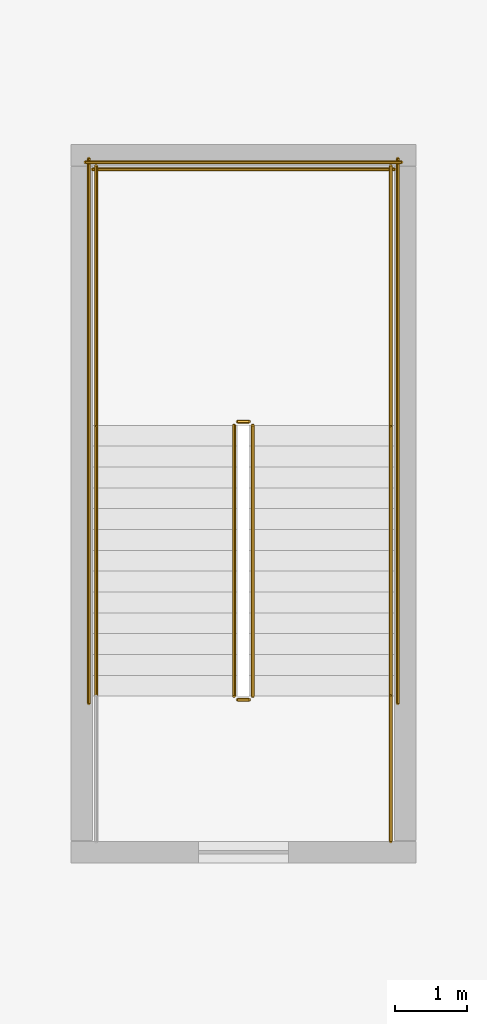
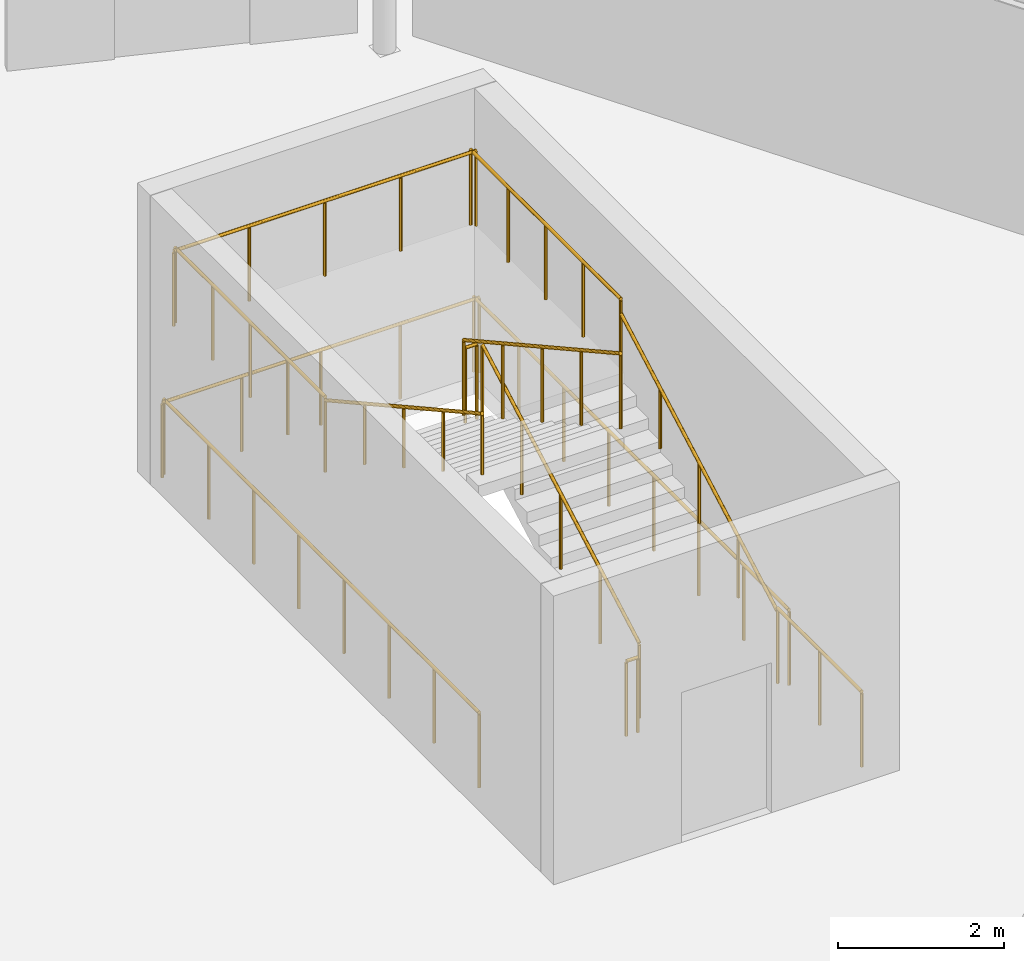
# One storey, part 69 of 69: 13 railings.
"""IFC4 building model written with IfcOpenShell, lengths in metres."""

from ifc_helpers import new_model, si_unit, direction, frame, origin, origin_2d, place, context, subcontext, project, spatial, circle, extrude, material, layer, layer_set, type_object, element, save


model = new_model("IFC4")

# Units and contexts
model_context = context("Model", 3, precision=1e-05, world=origin(), true_north=direction((0.0, 1.0)))
body_context = subcontext(model_context, "Body", "Model", "MODEL_VIEW")
ifc_project = project(units=[si_unit("LENGTHUNIT", "METRE"), si_unit("AREAUNIT", "SQUARE_METRE"), si_unit("VOLUMEUNIT", "CUBIC_METRE"), si_unit("PLANEANGLEUNIT", "RADIAN"), si_unit("MASSUNIT", "GRAM", prefix="KILO")], contexts=[model_context])

# Site, building, storey
site_placement = place(None, origin())
site = spatial("IfcSite", under=ifc_project, at=site_placement, CompositionType="ELEMENT")
building_placement = place(site_placement, origin())
building = spatial("IfcBuilding", under=site, at=building_placement, Name="Sarnbrook Museum", CompositionType="ELEMENT")
storey_placement = place(building_placement, frame((0.0, 0.0, 14.60009765625)))
storey = spatial("IfcBuildingStorey", under=building, at=storey_placement, Name="L03", CompositionType="ELEMENT", Elevation=14.60009765625)

# Railings
ifc_material = material(Name="Brushed Stainless Steel Grade 316", Category="steel")
ifc_layer_1 = layer(ifc_material, 0.050048828125)
ifc_layer_set_1 = layer_set([ifc_layer_1], Name="Brushed Stainless Steel Grade 316")
railing_type_1 = type_object("IfcRailingType", Name="Guard_Int1120", PredefinedType="BALUSTRADE", material=ifc_layer_set_1)
railing_1_placement = place(storey_placement, frame((143.929931640625, 82.52001953125, 0.16064453125)))
element("IfcRailing", 1, at=railing_1_placement, inside=storey, type_object=railing_type_1, Name="L03 ST7 stair guard 1", PredefinedType="BALUSTRADE", context=body_context, shape_type="SweptSolid", body=[
    extrude(circle(Radius=0.02392578125, at=origin_2d()), frame((0.0, 0.0, 1.09619140625), z_axis=(0.0, 0.874659101714, 0.484738543742), x_axis=(-1.0, 0.0, 0.0)), (0.0, 0.0, 1.0), 4.310302734375),
    extrude(circle(Radius=0.02099609375, at=origin_2d()), origin(), (0.0, 0.0, 1.0), 1.072021484375),
    extrude(circle(Radius=0.02099609375, at=origin_2d()), frame((0.0, 0.9423828125, 0.5224609375)), (0.0, 0.0, 1.0), 1.072021484375),
    extrude(circle(Radius=0.02099609375, at=origin_2d()), frame((0.0, 1.885009765625, 1.044677734375)), (0.0, 0.0, 1.0), 1.072021484375),
    extrude(circle(Radius=0.02099609375, at=origin_2d()), frame((0.0, 2.82763671875, 1.56689453125)), (0.0, 0.0, 1.0), 1.072021484375),
    extrude(circle(Radius=0.02099609375, at=origin_2d()), frame((0.0, 3.77001953125, 2.08935546875)), (0.0, 0.0, 1.0), 1.072021484375),
])
railing_2_placement = place(storey_placement, frame((143.8798828125, 86.340087890625, 2.25)))
element("IfcRailing", 2, at=railing_2_placement, inside=storey, type_object=railing_type_1, Name="L03 ST7 stair guard 2", PredefinedType="BALUSTRADE", context=body_context, shape_type="SweptSolid", body=[
    extrude(circle(Radius=0.02392578125, at=origin_2d()), frame((0.0, 0.0, 1.09619140625), z_axis=(-1.0, 0.0, 0.0), x_axis=(0.0, -1.0, 0.0)), (0.0, 0.0, 1.0), 0.159912109375),
    extrude(circle(Radius=0.02099609375, at=origin_2d()), origin(), (0.0, 0.0, 1.0), 1.072021484375),
    extrude(circle(Radius=0.02099609375, at=origin_2d()), frame((-0.159912109375, 0.0, 0.0)), (0.0, 0.0, 1.0), 1.072021484375),
])
for number, where, name in (
    (3, (145.85009765625, 86.2900390625, 2.25), "L03 ST7 stair guard 3"),
    (4, (141.75, 86.2900390625, 2.25), "L03 ST7 stair guard 4"),
):
    element("IfcRailing", number, at=place(storey_placement, frame(where)), inside=storey, type_object=railing_type_1, Name=name, PredefinedType="BALUSTRADE", context=body_context, shape_type="SweptSolid", body=[
        extrude(circle(Radius=0.02392578125, at=origin_2d()), frame((0.0, 0.0, 1.09619140625), z_axis=(0.0, 1.0, 0.0), x_axis=(-1.0, 0.0, 0.0)), (0.0, 0.0, 1.0), 3.60986328125),
        extrude(circle(Radius=0.02099609375, at=origin_2d()), origin(), (0.0, 0.0, 1.0), 1.072021484375),
        extrude(circle(Radius=0.02099609375, at=origin_2d()), frame((0.0, 0.90234375, 0.0)), (0.0, 0.0, 1.0), 1.072021484375),
        extrude(circle(Radius=0.02099609375, at=origin_2d()), frame((0.0, 1.804931640625, 0.0)), (0.0, 0.0, 1.0), 1.072021484375),
        extrude(circle(Radius=0.02099609375, at=origin_2d()), frame((0.0, 2.70751953125, 0.0)), (0.0, 0.0, 1.0), 1.072021484375),
        extrude(circle(Radius=0.02099609375, at=origin_2d()), frame((0.0, 3.60986328125, 0.0)), (0.0, 0.0, 1.0), 1.072021484375),
    ])
railing_3_placement = place(storey_placement, frame((145.89990234375, 89.85009765625, 2.25)))
element("IfcRailing", 5, at=railing_3_placement, inside=storey, type_object=railing_type_1, Name="L03 ST7 stair guard 5", PredefinedType="BALUSTRADE", context=body_context, shape_type="SweptSolid", body=[
    extrude(circle(Radius=0.02392578125, at=origin_2d()), frame((0.0, 0.0, 1.09619140625), z_axis=(-1.0, 0.0, 0.0), x_axis=(0.0, -1.0, 0.0)), (0.0, 0.0, 1.0), 4.199951171875),
    extrude(circle(Radius=0.02099609375, at=origin_2d()), origin(), (0.0, 0.0, 1.0), 1.072021484375),
    extrude(circle(Radius=0.02099609375, at=origin_2d()), frame((-1.050048828125, 0.0, 0.0)), (0.0, 0.0, 1.0), 1.072021484375),
    extrude(circle(Radius=0.02099609375, at=origin_2d()), frame((-2.10009765625, 0.0, 0.0)), (0.0, 0.0, 1.0), 1.072021484375),
    extrude(circle(Radius=0.02099609375, at=origin_2d()), frame((-3.14990234375, 0.0, 0.0)), (0.0, 0.0, 1.0), 1.072021484375),
    extrude(circle(Radius=0.02099609375, at=origin_2d()), frame((-4.199951171875, 0.0, 0.0)), (0.0, 0.0, 1.0), 1.072021484375),
])
railing_4_placement = place(storey_placement, frame((143.669921875, 86.2900390625, 2.41064453125)))
element("IfcRailing", 6, at=railing_4_placement, inside=storey, type_object=railing_type_1, Name="L03 ST7 stair guard 6", PredefinedType="BALUSTRADE", context=body_context, shape_type="SweptSolid", body=[
    extrude(circle(Radius=0.02392578125, at=origin_2d()), frame((0.0, 0.0, 1.09619140625), z_axis=(0.0, -0.874659101714, 0.484738543742), x_axis=(1.0, 0.0, 0.0)), (0.0, 0.0, 1.0), 4.310302734375),
    extrude(circle(Radius=0.02099609375, at=origin_2d()), origin(), (0.0, 0.0, 1.0), 1.072021484375),
    extrude(circle(Radius=0.02099609375, at=origin_2d()), frame((0.0, -0.9423828125, 0.5224609375)), (0.0, 0.0, 1.0), 1.072021484375),
    extrude(circle(Radius=0.02099609375, at=origin_2d()), frame((0.0, -1.885009765625, 1.044677734375)), (0.0, 0.0, 1.0), 1.072021484375),
    extrude(circle(Radius=0.02099609375, at=origin_2d()), frame((0.0, -2.82763671875, 1.56689453125)), (0.0, 0.0, 1.0), 1.072021484375),
    extrude(circle(Radius=0.02099609375, at=origin_2d()), frame((0.0, -3.77001953125, 2.08935546875)), (0.0, 0.0, 1.0), 1.072021484375),
])
railing_5_placement = place(storey_placement, frame((143.8798828125, 82.469970703125, 0.0)))
element("IfcRailing", 7, at=railing_5_placement, inside=storey, type_object=railing_type_1, Name="L03 ST7 stair guard 7", PredefinedType="BALUSTRADE", context=body_context, shape_type="SweptSolid", body=[
    extrude(circle(Radius=0.02392578125, at=origin_2d()), frame((0.0, 0.0, 1.09619140625), z_axis=(-1.0, 0.0, 0.0), x_axis=(0.0, -1.0, 0.0)), (0.0, 0.0, 1.0), 0.159912109375),
    extrude(circle(Radius=0.02099609375, at=origin_2d()), origin(), (0.0, 0.0, 1.0), 1.072021484375),
    extrude(circle(Radius=0.02099609375, at=origin_2d()), frame((-0.159912109375, 0.0, 0.0)), (0.0, 0.0, 1.0), 1.072021484375),
])
railing_6_placement = place(storey_placement, frame((145.85009765625, 80.5, 0.0)))
element("IfcRailing", 8, at=railing_6_placement, inside=storey, type_object=railing_type_1, Name="L03 ST7 stair guard 8", PredefinedType="BALUSTRADE", context=body_context, shape_type="SweptSolid", body=[
    extrude(circle(Radius=0.02392578125, at=origin_2d()), frame((0.0, 0.0, 1.09619140625), z_axis=(0.0, 1.0, 0.0), x_axis=(-1.0, 0.0, 0.0)), (0.0, 0.0, 1.0), 2.02001953125),
    extrude(circle(Radius=0.02099609375, at=origin_2d()), origin(), (0.0, 0.0, 1.0), 1.072021484375),
    extrude(circle(Radius=0.02099609375, at=origin_2d()), frame((0.0, 1.010009765625, 0.0)), (0.0, 0.0, 1.0), 1.072021484375),
    extrude(circle(Radius=0.02099609375, at=origin_2d()), frame((0.0, 2.02001953125, 0.0)), (0.0, 0.0, 1.0), 1.072021484375),
])
for number, where, name in (
    (9, (145.949951171875, 82.419921875, 0.0), "L03 ST7 stair guard 10"),
    (10, (141.64990234375, 82.419921875, 0.0), "L03 ST7 stair guard 11"),
):
    element("IfcRailing", number, at=place(storey_placement, frame(where)), inside=storey, type_object=railing_type_1, Name=name, PredefinedType="BALUSTRADE", context=body_context, shape_type="SweptSolid", body=[
        extrude(circle(Radius=0.02392578125, at=origin_2d()), frame((0.0, 0.0, 1.09619140625), z_axis=(0.0, 1.0, 0.0), x_axis=(-1.0, 0.0, 0.0)), (0.0, 0.0, 1.0), 7.580078125),
        extrude(circle(Radius=0.02099609375, at=origin_2d()), origin(), (0.0, 0.0, 1.0), 1.072021484375),
        extrude(circle(Radius=0.02099609375, at=origin_2d()), frame((0.0, 1.082763671875, 0.0)), (0.0, 0.0, 1.0), 1.072021484375),
        extrude(circle(Radius=0.02099609375, at=origin_2d()), frame((0.0, 2.165771484375, 0.0)), (0.0, 0.0, 1.0), 1.072021484375),
        extrude(circle(Radius=0.02099609375, at=origin_2d()), frame((0.0, 3.24853515625, 0.0)), (0.0, 0.0, 1.0), 1.072021484375),
        extrude(circle(Radius=0.02099609375, at=origin_2d()), frame((0.0, 4.33154296875, 0.0)), (0.0, 0.0, 1.0), 1.072021484375),
        extrude(circle(Radius=0.02099609375, at=origin_2d()), frame((0.0, 5.414306640625, 0.0)), (0.0, 0.0, 1.0), 1.072021484375),
        extrude(circle(Radius=0.02099609375, at=origin_2d()), frame((0.0, 6.497314453125, 0.0)), (0.0, 0.0, 1.0), 1.072021484375),
        extrude(circle(Radius=0.02099609375, at=origin_2d()), frame((0.0, 7.580078125, 0.0)), (0.0, 0.0, 1.0), 1.072021484375),
    ])
railing_7_placement = place(storey_placement, frame((146.0, 89.949951171875, 0.0)))
element("IfcRailing", 11, at=railing_7_placement, inside=storey, type_object=railing_type_1, Name="L03 ST7 stair guard 12", PredefinedType="BALUSTRADE", context=body_context, shape_type="SweptSolid", body=[
    extrude(circle(Radius=0.02392578125, at=origin_2d()), frame((0.0, 0.0, 1.09619140625), z_axis=(-1.0, 0.0, 0.0), x_axis=(0.0, -1.0, 0.0)), (0.0, 0.0, 1.0), 4.39990234375),
    extrude(circle(Radius=0.02099609375, at=origin_2d()), origin(), (0.0, 0.0, 1.0), 1.072021484375),
    extrude(circle(Radius=0.02099609375, at=origin_2d()), frame((-1.10009765625, 0.0, 0.0)), (0.0, 0.0, 1.0), 1.072021484375),
    extrude(circle(Radius=0.02099609375, at=origin_2d()), frame((-2.199951171875, 0.0, 0.0)), (0.0, 0.0, 1.0), 1.072021484375),
    extrude(circle(Radius=0.02099609375, at=origin_2d()), frame((-3.2998046875, 0.0, 0.0)), (0.0, 0.0, 1.0), 1.072021484375),
    extrude(circle(Radius=0.02099609375, at=origin_2d()), frame((-4.39990234375, 0.0, 0.0)), (0.0, 0.0, 1.0), 1.072021484375),
])
ifc_layer_2 = layer(ifc_material, 0.048095703125)
ifc_layer_set_2 = layer_set([ifc_layer_2], Name="Brushed Stainless Steel Grade 316")
railing_type_2 = type_object("IfcRailingType", Name="Handrail_920", PredefinedType="HANDRAIL", material=ifc_layer_set_2)
railing_8_placement = place(storey_placement, frame((145.85009765625, 82.52001953125, 0.16064453125)))
element("IfcRailing", 12, at=railing_8_placement, inside=storey, type_object=railing_type_2, Name="L03 ST7 stair handrail 1", PredefinedType="HANDRAIL", context=body_context, shape_type="SweptSolid", body=[
    extrude(circle(Radius=0.02392578125, at=origin_2d()), frame((0.0, 0.0, 0.8857421875), z_axis=(0.0, 0.874659101714, 0.484738543742), x_axis=(-1.0, 0.0, 0.0)), (0.0, 0.0, 1.0), 4.310302734375),
    extrude(circle(Radius=0.02099609375, at=origin_2d()), origin(), (0.0, 0.0, 1.0), 0.86181640625),
    extrude(circle(Radius=0.02099609375, at=origin_2d()), frame((0.0, 0.9423828125, 0.5224609375)), (0.0, 0.0, 1.0), 0.86181640625),
    extrude(circle(Radius=0.02099609375, at=origin_2d()), frame((0.0, 1.885009765625, 1.044677734375)), (0.0, 0.0, 1.0), 0.86181640625),
    extrude(circle(Radius=0.02099609375, at=origin_2d()), frame((0.0, 2.82763671875, 1.56689453125)), (0.0, 0.0, 1.0), 0.86181640625),
    extrude(circle(Radius=0.02099609375, at=origin_2d()), frame((0.0, 3.77001953125, 2.08935546875)), (0.0, 0.0, 1.0), 0.86181640625),
])
railing_9_placement = place(storey_placement, frame((141.75, 86.2900390625, 2.41064453125)))
element("IfcRailing", 13, at=railing_9_placement, inside=storey, type_object=railing_type_2, Name="L03 ST7 stair handrail 2", PredefinedType="HANDRAIL", context=body_context, shape_type="SweptSolid", body=[
    extrude(circle(Radius=0.02392578125, at=origin_2d()), frame((0.0, 0.0, 0.8857421875), z_axis=(0.0, -0.874659101714, 0.484738543742), x_axis=(1.0, 0.0, 0.0)), (0.0, 0.0, 1.0), 4.310302734375),
    extrude(circle(Radius=0.02099609375, at=origin_2d()), origin(), (0.0, 0.0, 1.0), 0.86181640625),
    extrude(circle(Radius=0.02099609375, at=origin_2d()), frame((0.0, -0.9423828125, 0.5224609375)), (0.0, 0.0, 1.0), 0.86181640625),
    extrude(circle(Radius=0.02099609375, at=origin_2d()), frame((0.0, -1.885009765625, 1.044677734375)), (0.0, 0.0, 1.0), 0.86181640625),
    extrude(circle(Radius=0.02099609375, at=origin_2d()), frame((0.0, -2.82763671875, 1.56689453125)), (0.0, 0.0, 1.0), 0.86181640625),
    extrude(circle(Radius=0.02099609375, at=origin_2d()), frame((0.0, -3.77001953125, 2.08935546875)), (0.0, 0.0, 1.0), 0.86181640625),
])

save(model, "model.ifc")
